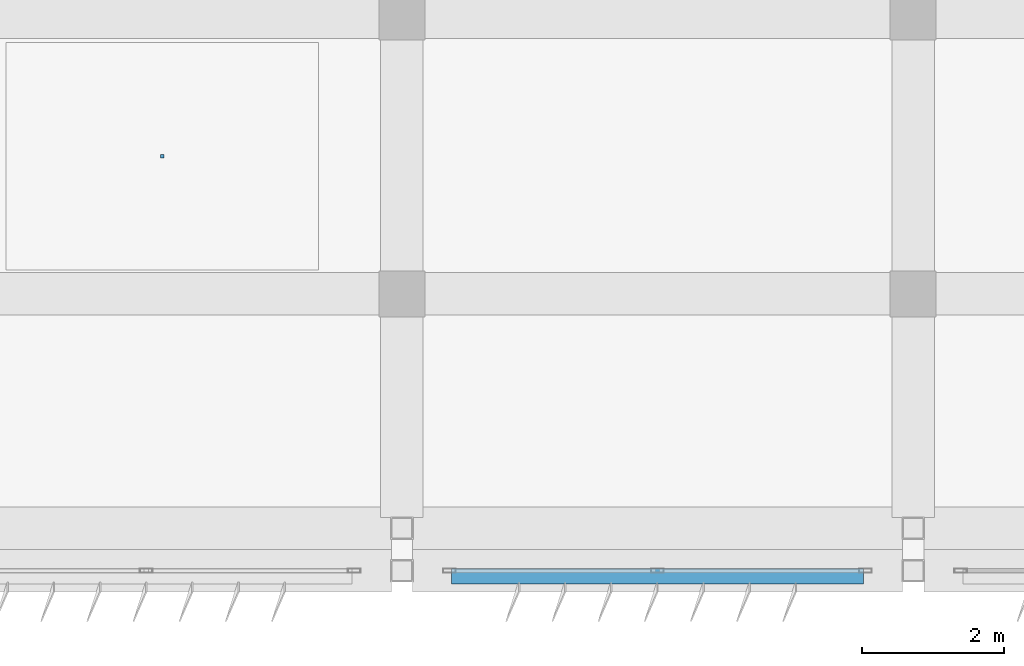
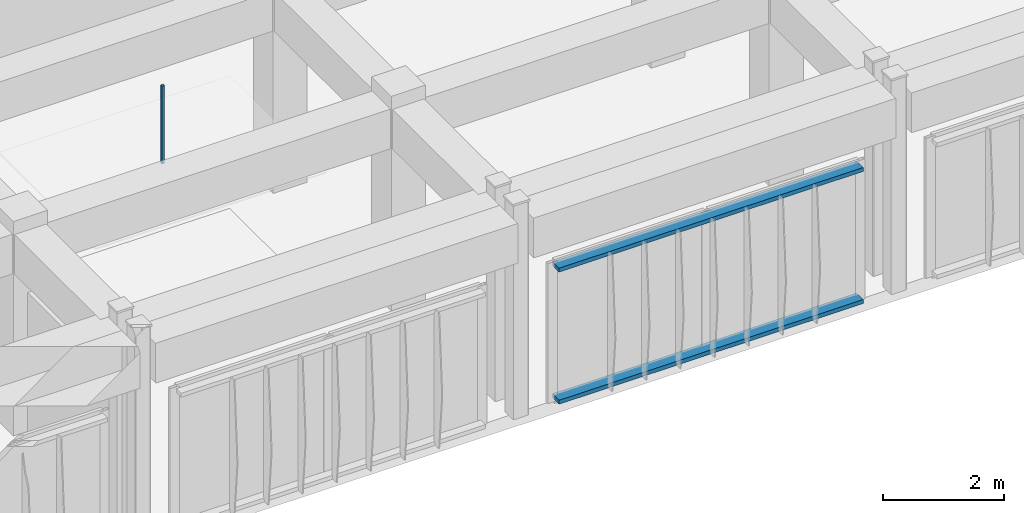
# One storey, part 34 of 42: 3 discrete accessories.
"""IFC4 building model written with IfcOpenShell, lengths in metres."""

from ifc_helpers import new_model, si_unit, direction, frame, origin, origin_2d, place, context, subcontext, project, spatial, rectangle, extrude, material, type_object, element, save


model = new_model("IFC4")

# Units and contexts
model_context = context("Model", 3, precision=1e-05, world=origin(), true_north=direction((0.0, 1.0)))
body_context = subcontext(model_context, "Body", "Model", "MODEL_VIEW")
ifc_project = project(units=[si_unit("LENGTHUNIT", "METRE"), si_unit("AREAUNIT", "SQUARE_METRE"), si_unit("VOLUMEUNIT", "CUBIC_METRE"), si_unit("PLANEANGLEUNIT", "RADIAN"), si_unit("MASSUNIT", "GRAM", prefix="KILO")], contexts=[model_context])

# Site, building, storey
site_placement = place(None, origin())
site = spatial("IfcSite", under=ifc_project, at=site_placement, CompositionType="ELEMENT")
building_placement = place(site_placement, origin())
building = spatial("IfcBuilding", under=site, at=building_placement, Name="Kazehaya Institute of Natural Sciences", CompositionType="ELEMENT")
storey_placement = place(building_placement, frame((0.0, 0.0, 37.6201171875)))
storey = spatial("IfcBuildingStorey", under=building, at=storey_placement, Name="L08", CompositionType="ELEMENT", Elevation=37.6201171875)

# Discrete accessories
ifc_material_1 = material(Name="Aluminium alloy A6063S-T5", Category="aluminium")
discrete_accessory_type_1 = type_object("IfcDiscreteAccessoryType", Name="ACC-BRK-01", PredefinedType="BRACKET", material=ifc_material_1)
for number, where, z_axis, x_axis, name in (
    (1, (108.60009765625, 6.125, 0.039794921875), (0.0, 0.0, 1.0), (-1.0, 0.0, 0.0), "L08 fin support outrigger rail 1"),
    (2, (108.60009765625, 6.125, 2.699951171875), (0.0, 0.0, 1.0), (-1.0, 0.0, 0.0), "L08 fin support outrigger rail 2"),
):
    element("IfcDiscreteAccessory", number, at=place(storey_placement, frame(where, z_axis=z_axis, x_axis=x_axis)), inside=storey, type_object=discrete_accessory_type_1, Name=name, PredefinedType="BRACKET", context=body_context, shape_type="SweptSolid", body=[
        extrude(rectangle(XDim=5.800048828125, YDim=0.219970703125, at=origin_2d()), origin(), (0.0, 0.0, 1.0), 0.080078125),
    ])
ifc_material_2 = material(Name="Structural steel SN490B", Category="steel")
discrete_accessory_type_2 = type_object("IfcDiscreteAccessoryType", Name="ACC-CLG-HGR", PredefinedType="BRACKET", material=ifc_material_2)
discrete_accessory_placement = place(storey_placement, frame((101.626220703125, 12.03857421875, 2.672607421875), z_axis=(0.0, 0.0, 1.0), x_axis=(1.0, 0.0, 0.0)))
element("IfcDiscreteAccessory", 3, at=discrete_accessory_placement, inside=storey, type_object=discrete_accessory_type_2, Name="L08 ceiling suspension hanger 71", PredefinedType="BRACKET", context=body_context, shape_type="SweptSolid", body=[
    extrude(rectangle(XDim=0.050048828125, YDim=0.050048828125, at=origin_2d()), origin(), (0.0, 0.0, 1.0), 1.5673828125),
])

save(model, "model.ifc")
